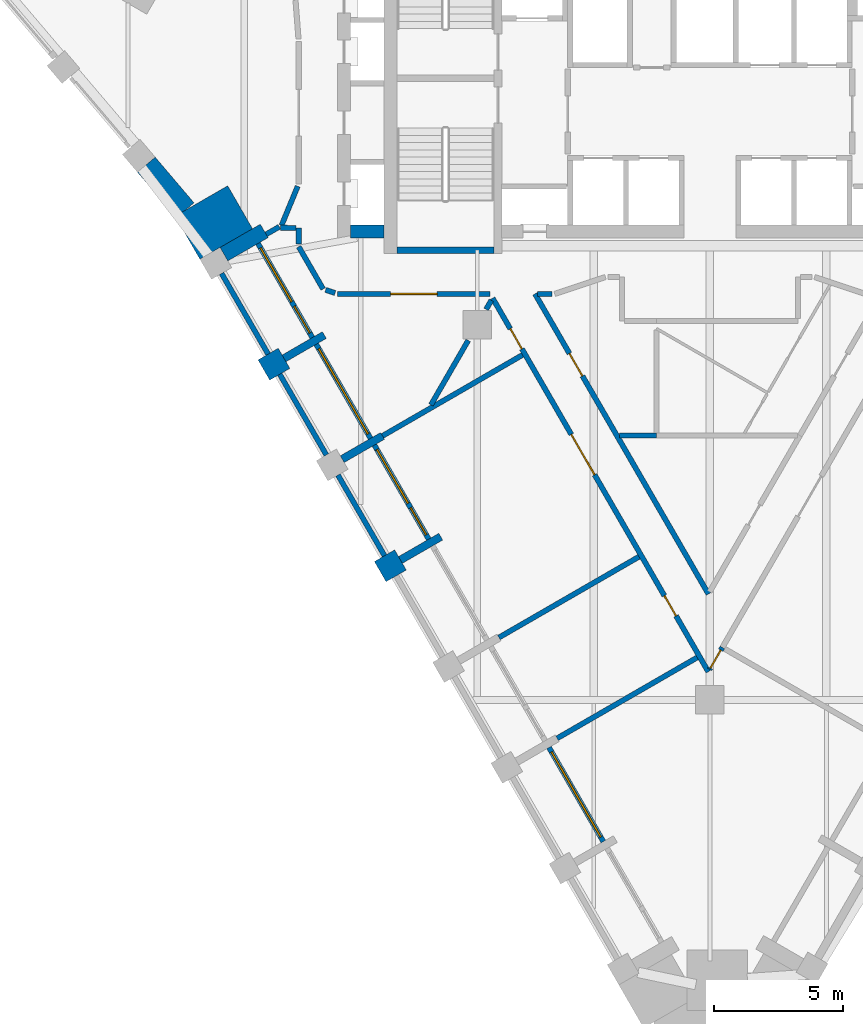
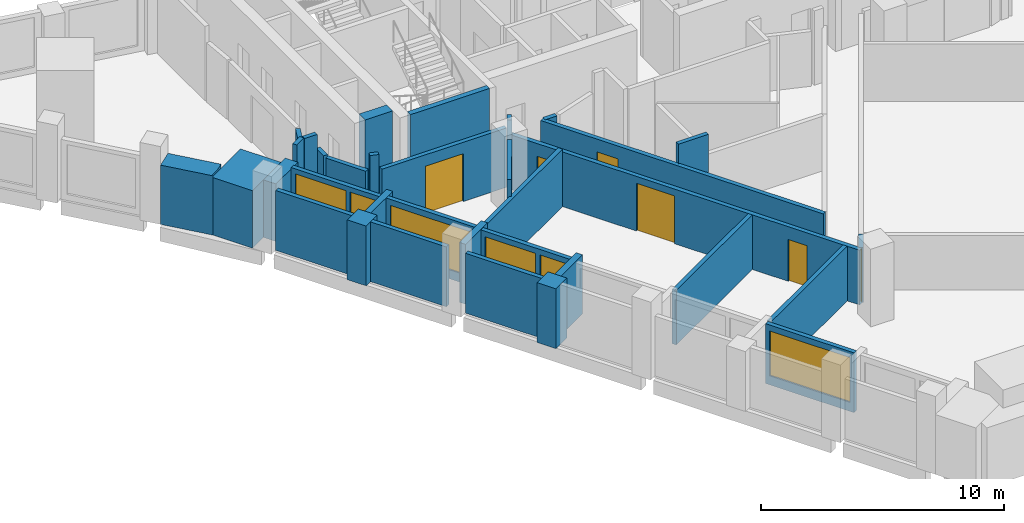
# One storey, part 3 of 9: 34 walls, 8 doors, 4 windows, 12 openings.
"""IFC4 building model written with IfcOpenShell, lengths in metres."""

from ifc_helpers import new_model, si_unit, direction, frame, frame_2d, origin, place, context, subcontext, project, spatial, polyline, rectangle, outline, extrude, material, layer, layer_set, type_object, element, fill, save


model = new_model("IFC4")

# Units and contexts
model_context = context("Model", 3, precision=1e-05, world=origin(), true_north=direction((0.0, 1.0)))
body_context = subcontext(model_context, "Body", "Model", "MODEL_VIEW")
ifc_project = project(units=[si_unit("LENGTHUNIT", "METRE"), si_unit("AREAUNIT", "SQUARE_METRE"), si_unit("VOLUMEUNIT", "CUBIC_METRE"), si_unit("PLANEANGLEUNIT", "RADIAN"), si_unit("MASSUNIT", "GRAM", prefix="KILO")], contexts=[model_context])

# Site, building, storey
site_placement = place(None, origin())
site = spatial("IfcSite", under=ifc_project, at=site_placement, CompositionType="ELEMENT")
building_placement = place(site_placement, origin())
building = spatial("IfcBuilding", under=site, at=building_placement, Name="Calabash Gate Tower", CompositionType="ELEMENT")
storey_placement = place(building_placement, frame((0.0, 0.0, 239.300048828125)))
storey = spatial("IfcBuildingStorey", under=building, at=storey_placement, Name="L57", CompositionType="ELEMENT", Elevation=239.300048828125)

# Walls
ifc_material_1 = material(Name="Terracotta brick masonry, exposed face", Category="masonry")
ifc_layer_1 = layer(ifc_material_1, 2.35009765625)
ifc_layer_set_1 = layer_set([ifc_layer_1], Name="Brick corner mass wall 2350")
wall_type_1 = type_object("IfcWallType", Name="Brick corner mass wall 2350", PredefinedType="SOLIDWALL", material=ifc_layer_set_1)
wall_1_placement = place(storey_placement, origin())
element("IfcWall", 1, at=wall_1_placement, inside=storey, type_object=wall_type_1, Name="Brick corner pier S16 1", PredefinedType="SOLIDWALL", context=body_context, shape_type="SweptSolid", body=[
    extrude(outline(polyline([(-18.942138671875, 5.492431640625), (-17.6865234375, 6.21728515625), (-18.6455078125, 7.878173828125), (-20.6806640625, 6.703125), (-19.7216796875, 5.042236328125), (-19.721435546875, 5.042236328125), (-19.7216796875, 5.042724609375), (-18.9423828125, 5.49267578125), (-18.942138671875, 5.492431640625)])), origin(), (0.0, 0.0, 1.0), 2.884033203125),
])
ifc_material_2 = material(Name="Terracotta brick masonry, exposed face", Category="masonry")
ifc_layer_2 = layer(ifc_material_2, 0.89990234375)
ifc_layer_set_2 = layer_set([ifc_layer_2], Name="Brick end wall 900")
wall_type_2 = type_object("IfcWallType", Name="Brick end wall 900", PredefinedType="SOLIDWALL", material=ifc_layer_set_2)
wall_2_placement = place(storey_placement, frame((-16.632080078125, 0.5908203125, 0.0), z_axis=(0.0, 0.0, 1.0), x_axis=(-0.50001992892, 0.866013897511, 0.0)))
element("IfcWall", 2, at=wall_2_placement, inside=storey, type_object=wall_type_2, Name="Brick pier S16 SW0.1", PredefinedType="SOLIDWALL", context=body_context, shape_type="SweptSolid", body=[
    extrude(rectangle(XDim=0.89990234375, YDim=0.89990234375, at=frame_2d((0.449951171875, 0.0))), origin(), (0.0, 0.0, 1.0), 3.0),
])
wall_3_placement = place(storey_placement, frame((-12.58203125, -6.424072265625, 0.0), z_axis=(0.0, 0.0, 1.0), x_axis=(0.499902469156, -0.866081705922, 0.0)))
element("IfcWall", 3, at=wall_3_placement, inside=storey, type_object=wall_type_2, Name="Brick pier S16 SW0.3", PredefinedType="SOLIDWALL", context=body_context, shape_type="SweptSolid", body=[
    extrude(rectangle(XDim=0.900146484375, YDim=0.89990234375, at=frame_2d((0.4501953125, 0.0))), origin(), (0.0, 0.0, 1.0), 3.0),
])
wall_4_placement = place(storey_placement, origin())
element("IfcWall", 4, at=wall_4_placement, inside=storey, type_object=wall_type_2, Name="Brick end wall S16 3", PredefinedType="SOLIDWALL", context=body_context, shape_type="SweptSolid", body=[
    extrude(outline(polyline([(-19.947998046875, 7.2197265625), (-21.44921875, 8.985595703125), (-22.135009765625, 8.402587890625), (-20.66015625, 6.667724609375), (-20.6806640625, 6.703125), (-20.291015625, 6.92822265625), (-19.947998046875, 7.2197265625)])), origin(), (0.0, 0.0, 1.0), 2.973388671875),
])
ifc_material_3 = material(Name="Terracotta brick masonry, exposed face", Category="masonry")
ifc_layer_3 = layer(ifc_material_3, 0.300048828125)
ifc_layer_set_3 = layer_set([ifc_layer_3], Name="Brick loggia cheek wall 300")
wall_type_3 = type_object("IfcWallType", Name="Brick loggia cheek wall 300", PredefinedType="SOLIDWALL", material=ifc_layer_set_3)
wall_5_placement = place(storey_placement, frame((-18.7919921875, 5.232666015625, 0.0), z_axis=(0.0, 0.0, 1.0), x_axis=(0.866013897511, 0.50001992892, 0.0)))
element("IfcWall", 5, at=wall_5_placement, inside=storey, type_object=wall_type_3, Name="Loggia cheek S16 SW0.0", PredefinedType="SOLIDWALL", context=body_context, shape_type="SweptSolid", body=[
    extrude(rectangle(XDim=1.7998046875, YDim=0.60009765625, at=frame_2d((0.89990234375, 0.0))), origin(), (0.0, 0.0, 1.0), 2.884033203125),
])
for number, where, z_axis, x_axis, name in (
    (6, (-16.46728515625, 1.205322265625, 0.0), (0.0, 0.0, 1.0), (0.865989075817, 0.500062916607, 0.0), "Loggia cheek S16 SW0.1"),
    (7, (-14.21728515625, -2.691650390625, 0.0), (0.0, 0.0, 1.0), (0.866047807691, 0.499961193289, 0.0), "Loggia cheek S16 SW0.2"),
):
    element("IfcWall", number, at=place(storey_placement, frame(where, z_axis=z_axis, x_axis=x_axis)), inside=storey, type_object=wall_type_3, Name=name, PredefinedType="SOLIDWALL", context=body_context, shape_type="SweptSolid", body=[
        extrude(rectangle(XDim=1.800048828125, YDim=0.300048828125, at=frame_2d((0.89990234375, 0.0))), origin(), (0.0, 0.0, 1.0), 3.0),
    ])
wall_6_placement = place(storey_placement, frame((-11.96728515625, -6.5888671875, 0.0), z_axis=(0.0, 0.0, 1.0), x_axis=(0.865989075817, 0.500062916607, 0.0)))
element("IfcWall", 8, at=wall_6_placement, inside=storey, type_object=wall_type_3, Name="Loggia cheek S16 SW0.3", PredefinedType="SOLIDWALL", context=body_context, shape_type="SweptSolid", body=[
    extrude(rectangle(XDim=1.800048828125, YDim=0.300048828125, at=frame_2d((0.89990234375, 0.0))), origin(), (0.0, 0.0, 1.0), 2.973388671875),
])
ifc_material_4 = material(Name="Concrete C70/85", Category="concrete")
ifc_layer_4 = layer(ifc_material_4, 0.25)
ifc_layer_set_4 = layer_set([ifc_layer_4], Name="Core wall 250 Concrete C70/85")
wall_type_4 = type_object("IfcWallType", Name="Core wall 250 Concrete C70/85", PredefinedType="SHEAR", material=ifc_layer_set_4)
wall_7_placement = place(storey_placement, frame((-12.10009765625, 5.377685546875, 0.0), z_axis=(0.0, 0.0, 1.0), x_axis=(1.0, 0.0, 0.0)))
element("IfcWall", 9, at=wall_7_placement, inside=storey, type_object=wall_type_4, Name="Core wall Z4-SSW L57", PredefinedType="SHEAR", context=body_context, shape_type="SweptSolid", body=[
    extrude(rectangle(XDim=3.75, YDim=0.25, at=frame_2d((1.875, 0.0))), origin(), (0.0, 0.0, 1.0), 3.89990234375),
])
ifc_material_5 = material(Name="Concrete C70/85", Category="concrete")
ifc_layer_5 = layer(ifc_material_5, 0.5)
ifc_layer_set_5 = layer_set([ifc_layer_5], Name="Core wall 500 Concrete C70/85")
wall_type_5 = type_object("IfcWallType", Name="Core wall 500 Concrete C70/85", PredefinedType="SHEAR", material=ifc_layer_set_5)
wall_8_placement = place(storey_placement, frame((-12.60009765625, 6.1025390625, 0.0), z_axis=(0.0, 0.0, 1.0), x_axis=(-1.0, 0.0, 0.0)))
element("IfcWall", 10, at=wall_8_placement, inside=storey, type_object=wall_type_5, Name="Core wall Z4-SW L57", PredefinedType="SHEAR", context=body_context, shape_type="SweptSolid", body=[
    extrude(rectangle(XDim=1.2998046875, YDim=0.5, at=frame_2d((0.64990234375, 0.0))), origin(), (0.0, 0.0, 1.0), 3.89990234375),
])
ifc_material_6 = material(Name="Gypsum board on steel studs, mineral wool", Category="steel")
ifc_layer_6 = layer(ifc_material_6, 0.199951171875)
ifc_layer_set_6 = layer_set([ifc_layer_6], Name="Partition 200 gypsum board EI 60")
wall_type_6 = type_object("IfcWallType", Name="Partition 200 gypsum board EI 60", PredefinedType="PARTITIONING", material=ifc_layer_set_6)
wall_9_placement = place(storey_placement, frame((-5.908203125, -13.4833984375, 0.0), z_axis=(0.0, 0.0, 1.0), x_axis=(0.866160870949, 0.499765290549, 0.0)))
element("IfcWall", 11, at=wall_9_placement, inside=storey, type_object=wall_type_6, Name="Partition", PredefinedType="PARTITIONING", context=body_context, shape_type="SweptSolid", body=[
    extrude(rectangle(XDim=6.24951171875, YDim=0.199951171875, at=frame_2d((3.124755859375, 0.0))), origin(), (0.0, 0.0, 1.0), 2.74169921875),
])

# Wall, openings, doors
wall_10_placement = place(storey_placement, frame((-8.403076171875, 3.533935546875, 0.0), z_axis=(0.0, 0.0, 1.0), x_axis=(0.499994899308, -0.86602834865, 0.0)))
wall_10 = element("IfcWall", 12, at=wall_10_placement, inside=storey, type_object=wall_type_6, Name="Partition", PredefinedType="PARTITIONING", context=body_context, shape_type="SweptSolid", body=[
    extrude(rectangle(XDim=16.677490234375, YDim=0.199951171875, at=frame_2d((8.3388671875, 0.0))), origin(), (0.0, 0.0, 1.0), 2.74169921875),
])
opening_1_placement = place(wall_10_placement, frame((6.08447265625, 0.0, 0.0)))
opening_1 = element("IfcOpeningElement", 13, at=opening_1_placement, cuts=wall_10, Name="Opening 55-57-001", PredefinedType="OPENING", context=body_context, shape_type="SweptSolid", body=[
    extrude(rectangle(XDim=1.800048828125, YDim=2.39990234375, at=frame_2d((0.89990234375, 1.199951171875))), frame((0.0, 0.10986328125, 0.0), z_axis=(0.0, -1.0, 0.0), x_axis=(1.0, 0.0, 0.0)), (0.0, 0.0, 1.0), 0.219970703125),
])
opening_2_placement = place(wall_10_placement, frame((13.28466796875, 0.0, 0.0)))
opening_2 = element("IfcOpeningElement", 14, at=opening_2_placement, cuts=wall_10, Name="Opening 55-57-002", PredefinedType="OPENING", context=body_context, shape_type="SweptSolid", body=[
    extrude(rectangle(XDim=0.89990234375, YDim=2.10009765625, at=frame_2d((0.449951171875, 1.050048828125))), frame((0.0, 0.10986328125, 0.0), z_axis=(0.0, -1.0, 0.0), x_axis=(1.0, 0.0, 0.0)), (0.0, 0.0, 1.0), 0.219970703125),
])
opening_3_placement = place(wall_10_placement, frame((1.364013671875, 0.0, 0.0)))
opening_3 = element("IfcOpeningElement", 15, at=opening_3_placement, cuts=wall_10, Name="Opening 55-57-007", PredefinedType="OPENING", context=body_context, shape_type="SweptSolid", body=[
    extrude(rectangle(XDim=0.89990234375, YDim=2.10009765625, at=frame_2d((0.449951171875, 1.050048828125))), frame((0.0, 0.10986328125, 0.0), z_axis=(0.0, -1.0, 0.0), x_axis=(1.0, 0.0, 0.0)), (0.0, 0.0, 1.0), 0.219970703125),
])
ifc_material_7 = material(Name="Painted timber door", Category="wood")
door_type_1 = type_object("IfcDoorType", Name="OD1 Office door 900x2100", OperationType="NOTDEFINED", PredefinedType="DOOR", material=ifc_material_7)
door_1_placement = place(opening_2_placement, origin())
door_1 = element("IfcDoor", 16, at=door_1_placement, inside=storey, type_object=door_type_1, Name="Office door", OperationType="SINGLE_SWING_LEFT", OverallHeight=2.10009765625, OverallWidth=0.89990234375, PredefinedType="DOOR", context=body_context, shape_type="SweptSolid", body=[
    extrude(rectangle(XDim=0.89990234375, YDim=2.10009765625, at=frame_2d((0.449951171875, 1.050048828125))), frame((0.0, 0.02490234375, 0.0), z_axis=(0.0, -1.0, 0.0), x_axis=(1.0, 0.0, 0.0)), (0.0, 0.0, 1.0), 0.050048828125),
])
fill(opening_2, door_1)
ifc_material_8 = material(Name="Steel fire door set with fire-resisting glazing", Category="steel")
door_type_2 = type_object("IfcDoorType", Name="SD1 Service room door 900x2100", OperationType="NOTDEFINED", PredefinedType="DOOR", material=ifc_material_8)
door_2_placement = place(opening_3_placement, origin())
door_2 = element("IfcDoor", 17, at=door_2_placement, inside=storey, type_object=door_type_2, Name="Service room door", OperationType="SINGLE_SWING_RIGHT", OverallHeight=2.10009765625, OverallWidth=0.89990234375, PredefinedType="DOOR", context=body_context, shape_type="SweptSolid", body=[
    extrude(rectangle(XDim=0.89990234375, YDim=2.10009765625, at=frame_2d((0.449951171875, 1.050048828125))), frame((0.0, 0.02490234375, 0.0), z_axis=(0.0, -1.0, 0.0), x_axis=(1.0, 0.0, 0.0)), (0.0, 0.0, 1.0), 0.050048828125),
])
fill(opening_3, door_2)
ifc_material_9 = material(Name="Steel fire door set with fire-resisting glazing", Category="steel")
door_type_3 = type_object("IfcDoorType", Name="TD1 Tenancy entrance double door 1800x2400", OperationType="NOTDEFINED", PredefinedType="DOOR", material=ifc_material_9)
door_3_placement = place(opening_1_placement, origin())
door_3 = element("IfcDoor", 18, at=door_3_placement, inside=storey, type_object=door_type_3, Name="Tenancy entrance double door", OperationType="DOUBLE_DOOR_SINGLE_SWING", OverallHeight=2.39990234375, OverallWidth=1.800048828125, PredefinedType="DOOR", context=body_context, shape_type="SweptSolid", body=[
    extrude(rectangle(XDim=1.800048828125, YDim=2.39990234375, at=frame_2d((0.89990234375, 1.199951171875))), frame((0.0, 0.02490234375, 0.0), z_axis=(0.0, -1.0, 0.0), x_axis=(1.0, 0.0, 0.0)), (0.0, 0.0, 1.0), 0.050048828125),
])
fill(opening_1, door_3)

# Wall, opening, door
wall_11_placement = place(storey_placement, frame((-0.01220703125, -10.821533203125, 0.0), z_axis=(0.0, 0.0, 1.0), x_axis=(0.501271486133, 0.865290065348, 0.0)))
wall_11 = element("IfcWall", 19, at=wall_11_placement, inside=storey, type_object=wall_type_6, Name="Partition", PredefinedType="PARTITIONING", context=body_context, shape_type="SweptSolid", body=[
    extrude(rectangle(XDim=0.98193359375, YDim=0.199951171875, at=frame_2d((0.490966796875, 0.0))), origin(), (0.0, 0.0, 1.0), 2.74169921875),
])
opening_4_placement = place(wall_11_placement, frame((0.06201171875, 0.0, 0.0)))
opening_4 = element("IfcOpeningElement", 20, at=opening_4_placement, cuts=wall_11, Name="Opening 55-57-011", PredefinedType="OPENING", context=body_context, shape_type="SweptSolid", body=[
    extrude(rectangle(XDim=0.800048828125, YDim=2.10009765625, at=frame_2d((0.39990234375, 1.050048828125))), frame((0.0, 0.10986328125, 0.0), z_axis=(0.0, -1.0, 0.0), x_axis=(1.0, 0.0, 0.0)), (0.0, 0.0, 1.0), 0.219970703125),
])
ifc_material_10 = material(Name="Steel fire door set with fire-resisting glazing", Category="steel")
door_type_4 = type_object("IfcDoorType", Name="SD2 Riser access door 800x2100", OperationType="NOTDEFINED", PredefinedType="DOOR", material=ifc_material_10)
door_4_placement = place(opening_4_placement, origin())
door_4 = element("IfcDoor", 21, at=door_4_placement, inside=storey, type_object=door_type_4, Name="Riser access door", OperationType="SINGLE_SWING_RIGHT", OverallHeight=2.10009765625, OverallWidth=0.800048828125, PredefinedType="DOOR", context=body_context, shape_type="SweptSolid", body=[
    extrude(rectangle(XDim=0.800048828125, YDim=2.10009765625, at=frame_2d((0.39990234375, 1.050048828125))), frame((0.0, 0.02490234375, 0.0), z_axis=(0.0, -1.0, 0.0), x_axis=(1.0, 0.0, 0.0)), (0.0, 0.0, 1.0), 0.050048828125),
])
fill(opening_4, door_4)

# Walls
wall_12_placement = place(storey_placement, frame((-8.158203125, -9.586181640625, 0.0), z_axis=(0.0, 0.0, 1.0), x_axis=(0.866153717883, 0.499777687575, 0.0)))
element("IfcWall", 22, at=wall_12_placement, inside=storey, type_object=wall_type_6, Name="Partition", PredefinedType="PARTITIONING", context=body_context, shape_type="SweptSolid", body=[
    extrude(rectangle(XDim=6.249755859375, YDim=0.199951171875, at=frame_2d((3.125, 0.0))), origin(), (0.0, 0.0, 1.0), 2.74169921875),
])
wall_13_placement = place(storey_placement, frame((-12.65869140625, -1.791259765625, 0.0), z_axis=(0.0, 0.0, 1.0), x_axis=(0.865661558062, 0.500629670408, 0.0)))
element("IfcWall", 23, at=wall_13_placement, inside=storey, type_object=wall_type_6, Name="Partition", PredefinedType="PARTITIONING", context=body_context, shape_type="SweptSolid", body=[
    extrude(rectangle(XDim=6.24951171875, YDim=0.199951171875, at=frame_2d((3.124755859375, 0.0))), origin(), (0.0, 0.0, 1.0), 2.884033203125),
])
wall_14_placement = place(storey_placement, frame((-3.49853515625, -1.779541015625, 0.0), z_axis=(0.0, 0.0, 1.0), x_axis=(0.999999471866, 0.001027748686, 0.0)))
element("IfcWall", 24, at=wall_14_placement, inside=storey, type_object=wall_type_6, Name="Partition", PredefinedType="PARTITIONING", context=body_context, shape_type="SweptSolid", body=[
    extrude(rectangle(XDim=1.42529296875, YDim=0.199951171875, at=frame_2d((0.712646484375, 0.0))), origin(), (0.0, 0.0, 1.0), 3.72998046875),
])
wall_15_placement = place(storey_placement, frame((-10.787353515625, -0.593505859375, 0.0), z_axis=(0.0, 0.0, 1.0), x_axis=(0.500287485194, 0.865859360496, 0.0)))
element("IfcWall", 25, at=wall_15_placement, inside=storey, type_object=wall_type_6, Name="Partition", PredefinedType="PARTITIONING", context=body_context, shape_type="SweptSolid", body=[
    extrude(rectangle(XDim=2.879638671875, YDim=0.199951171875, at=frame_2d((1.43994140625, 0.0))), origin(), (0.0, 0.0, 1.0), 3.72998046875),
])
wall_16_placement = place(storey_placement, frame((-8.65380859375, 3.10009765625, 0.0), z_axis=(0.0, 0.0, 1.0), x_axis=(0.497766425922, 0.86731112366, 0.0)))
element("IfcWall", 26, at=wall_16_placement, inside=storey, type_object=wall_type_6, Name="Partition", PredefinedType="PARTITIONING", context=body_context, shape_type="SweptSolid", body=[
    extrude(rectangle(XDim=0.403564453125, YDim=0.199951171875, at=frame_2d((0.20166015625, 0.0))), origin(), (0.0, 0.0, 1.0), 3.72998046875),
])

# Wall, opening, door
wall_17_placement = place(storey_placement, frame((-14.400146484375, 3.699462890625, 0.0), z_axis=(0.0, 0.0, 1.0), x_axis=(1.0, 0.0, 0.0)))
wall_17 = element("IfcWall", 27, at=wall_17_placement, inside=storey, type_object=wall_type_6, Name="Partition", PredefinedType="PARTITIONING", context=body_context, shape_type="SweptSolid", body=[
    extrude(rectangle(XDim=5.903076171875, YDim=0.199951171875, at=frame_2d((2.95166015625, 0.0))), origin(), (0.0, 0.0, 1.0), 2.973388671875),
])
opening_5_placement = place(wall_17_placement, frame((2.0517578125, 0.0, 0.0)))
opening_5 = element("IfcOpeningElement", 28, at=opening_5_placement, cuts=wall_17, Name="Opening 55-57-008", PredefinedType="OPENING", context=body_context, shape_type="SweptSolid", body=[
    extrude(rectangle(XDim=1.800048828125, YDim=2.39990234375, at=frame_2d((0.89990234375, 1.199951171875))), frame((0.0, 0.10986328125, 0.0), z_axis=(0.0, -1.0, 0.0), x_axis=(1.0, 0.0, 0.0)), (0.0, 0.0, 1.0), 0.219970703125),
])
ifc_material_11 = material(Name="Steel fire door set with fire-resisting glazing", Category="steel")
door_type_5 = type_object("IfcDoorType", Name="OD5 Open office double door 1800x2400", OperationType="NOTDEFINED", PredefinedType="DOOR", material=ifc_material_11)
door_5_placement = place(opening_5_placement, origin())
door_5 = element("IfcDoor", 29, at=door_5_placement, inside=storey, type_object=door_type_5, Name="Open office double door", OperationType="DOUBLE_DOOR_SINGLE_SWING", OverallHeight=2.39990234375, OverallWidth=1.800048828125, PredefinedType="DOOR", context=body_context, shape_type="SweptSolid", body=[
    extrude(rectangle(XDim=1.800048828125, YDim=2.39990234375, at=frame_2d((0.89990234375, 1.199951171875))), frame((0.0, 0.02490234375, 0.0), z_axis=(0.0, -1.0, 0.0), x_axis=(1.0, 0.0, 0.0)), (0.0, 0.0, 1.0), 0.050048828125),
])
fill(opening_5, door_5)

wall_18_placement = place(storey_placement, frame((-6.764404296875, 3.69970703125, 0.0), z_axis=(0.0, 0.0, 1.0), x_axis=(0.500260603275, -0.865874892124, 0.0)))
wall_18 = element("IfcWall", 30, at=wall_18_placement, inside=storey, type_object=wall_type_6, Name="Partition", PredefinedType="PARTITIONING", context=body_context, shape_type="SweptSolid", body=[
    extrude(rectangle(XDim=13.403076171875, YDim=0.199951171875, at=frame_2d((6.70166015625, 0.0))), origin(), (0.0, 0.0, 1.0), 2.74169921875),
])
opening_6_placement = place(wall_18_placement, frame((2.66259765625, 0.0, 0.0)))
opening_6 = element("IfcOpeningElement", 31, at=opening_6_placement, cuts=wall_18, Name="Opening 55-57-004", PredefinedType="OPENING", context=body_context, shape_type="SweptSolid", body=[
    extrude(rectangle(XDim=1.0, YDim=2.10009765625, at=frame_2d((0.5, 1.050048828125))), frame((0.0, 0.10986328125, 0.0), z_axis=(0.0, -1.0, 0.0), x_axis=(1.0, 0.0, 0.0)), (0.0, 0.0, 1.0), 0.219970703125),
])
ifc_material_12 = material(Name="Steel fire door set with fire-resisting glazing", Category="steel")
door_type_6 = type_object("IfcDoorType", Name="VD1 Vault door 1000x2100", OperationType="NOTDEFINED", PredefinedType="DOOR", material=ifc_material_12)
door_6_placement = place(opening_6_placement, origin())
door_6 = element("IfcDoor", 32, at=door_6_placement, inside=storey, type_object=door_type_6, Name="Vault door", OperationType="SINGLE_SWING_LEFT", OverallHeight=2.10009765625, OverallWidth=1.0, PredefinedType="DOOR", context=body_context, shape_type="SweptSolid", body=[
    extrude(rectangle(XDim=1.0, YDim=2.10009765625, at=frame_2d((0.5, 1.050048828125))), frame((0.0, 0.02490234375, 0.0), z_axis=(0.0, -1.0, 0.0), x_axis=(1.0, 0.0, 0.0)), (0.0, 0.0, 1.0), 0.050048828125),
])
fill(opening_6, door_6)

# Walls
wall_19_placement = place(storey_placement, frame((-6.664306640625, 3.69970703125, 0.0), z_axis=(0.0, 0.0, 1.0), x_axis=(1.0, 0.0, 0.0)))
element("IfcWall", 33, at=wall_19_placement, inside=storey, type_object=wall_type_6, Name="Partition", PredefinedType="PARTITIONING", context=body_context, shape_type="SweptSolid", body=[
    extrude(rectangle(XDim=0.564208984375, YDim=0.199951171875, at=frame_2d((0.2822265625, 0.0))), origin(), (0.0, 0.0, 1.0), 2.74169921875),
])
wall_20_placement = place(storey_placement, frame((-14.85986328125, 3.852783203125, 0.0), z_axis=(0.0, 0.0, 1.0), x_axis=(0.948683298051, -0.316227766017, 0.0)))
element("IfcWall", 34, at=wall_20_placement, inside=storey, type_object=wall_type_6, Name="Partition", PredefinedType="PARTITIONING", context=body_context, shape_type="SweptSolid", body=[
    extrude(rectangle(XDim=0.384521484375, YDim=0.199951171875, at=frame_2d((0.1923828125, 0.0))), origin(), (0.0, 0.0, 1.0), 3.72998046875),
])
wall_21_placement = place(storey_placement, frame((-15.900390625, 5.522705078125, 0.0), z_axis=(0.0, 0.0, 1.0), x_axis=(0.499998034377, -0.866026538634, 0.0)))
element("IfcWall", 35, at=wall_21_placement, inside=storey, type_object=wall_type_6, Name="Partition", PredefinedType="PARTITIONING", context=body_context, shape_type="SweptSolid", body=[
    extrude(rectangle(XDim=1.8916015625, YDim=0.199951171875, at=frame_2d((0.94580078125, 0.0))), origin(), (0.0, 0.0, 1.0), 2.949951171875),
])
wall_22_placement = place(storey_placement, frame((-15.900390625, 6.252197265625, 0.0), z_axis=(0.0, 0.0, 1.0), x_axis=(0.0, -1.0, 0.0)))
element("IfcWall", 36, at=wall_22_placement, inside=storey, type_object=wall_type_6, Name="Partition", PredefinedType="PARTITIONING", context=body_context, shape_type="SweptSolid", body=[
    extrude(rectangle(XDim=0.62939453125, YDim=0.199951171875, at=frame_2d((0.314697265625, 0.0))), origin(), (0.0, 0.0, 1.0), 2.973388671875),
])
wall_23_placement = place(storey_placement, frame((-16.6005859375, 6.252685546875, 0.0), z_axis=(0.0, 0.0, 1.0), x_axis=(0.999999668971, -0.000813669381, 0.0)))
element("IfcWall", 37, at=wall_23_placement, inside=storey, type_object=wall_type_6, Name="Partition", PredefinedType="PARTITIONING", context=body_context, shape_type="SweptSolid", body=[
    extrude(rectangle(XDim=0.60009765625, YDim=0.199951171875, at=frame_2d((0.300048828125, 0.0))), origin(), (0.0, 0.0, 1.0), 3.72998046875),
])
wall_24_placement = place(storey_placement, frame((-17.158203125, 6.00244140625, 0.0), z_axis=(0.0, 0.0, 1.0), x_axis=(0.867396234464, 0.497618098985, 0.0)))
element("IfcWall", 38, at=wall_24_placement, inside=storey, type_object=wall_type_6, Name="Partition", PredefinedType="PARTITIONING", context=body_context, shape_type="SweptSolid", body=[
    extrude(rectangle(XDim=0.586181640625, YDim=0.199951171875, at=frame_2d((0.29296875, 0.0))), origin(), (0.0, 0.0, 1.0), 3.72998046875),
])
wall_25_placement = place(storey_placement, frame((-16.563720703125, 6.345947265625, 0.0), z_axis=(0.0, 0.0, 1.0), x_axis=(0.381544254575, 0.924350572998, 0.0)))
element("IfcWall", 39, at=wall_25_placement, inside=storey, type_object=wall_type_6, Name="Partition", PredefinedType="PARTITIONING", context=body_context, shape_type="SweptSolid", body=[
    extrude(rectangle(XDim=1.63818359375, YDim=0.199951171875, at=frame_2d((0.819091796875, 0.0))), origin(), (0.0, 0.0, 1.0), 2.973388671875),
])
ifc_material_13 = material(Name="Terracotta brick masonry, perforated", Category="masonry")
ifc_layer_7 = layer(ifc_material_13, 0.199951171875)
ifc_layer_set_7 = layer_set([ifc_layer_7], Name="Terracotta jaali screen B")
wall_type_7 = type_object("IfcWallType", Name="Terracotta jaali screen B", PredefinedType="SOLIDWALL", material=ifc_layer_set_7)
for number, where, z_axis, x_axis, name in (
    (40, (-18.882080078125, 4.48779296875, 0.0), (0.0, 0.0, 1.0), (0.500012057535, -0.866018442252, 0.0), "SCREEN B S16 SW0.1"),
    (41, (-16.632080078125, 0.5908203125, 0.0), (0.0, 0.0, 1.0), (0.500012057535, -0.866018442252, 0.0), "SCREEN B S16 SW0.2"),
    (42, (-14.382080078125, -3.306396484375, 0.0), (0.0, 0.0, 1.0), (0.500012057535, -0.866018442252, 0.0), "SCREEN B S16 SW0.3"),
):
    element("IfcWall", number, at=place(storey_placement, frame(where, z_axis=z_axis, x_axis=x_axis)), inside=storey, type_object=wall_type_7, Name=name, PredefinedType="SOLIDWALL", context=body_context, shape_type="SweptSolid", body=[
        extrude(rectangle(XDim=3.60009765625, YDim=0.199951171875, at=frame_2d((1.800048828125, 0.0))), origin(), (0.0, 0.0, 1.0), 3.0),
    ])

# Wall, openings, door, window
ifc_material_14 = material(Name="Aluminium framed window wall with insulated spandrel", Category="aluminium")
ifc_layer_8 = layer(ifc_material_14, 0.199951171875)
ifc_layer_set_8 = layer_set([ifc_layer_8], Name="Window wall 200")
wall_type_8 = type_object("IfcWallType", Name="Window wall 200", PredefinedType="ELEMENTEDWALL", material=ifc_layer_set_8)
wall_26_placement = place(storey_placement, frame((-17.47314453125, 5.647705078125, 0.0), z_axis=(0.0, 0.0, 1.0), x_axis=(0.500002543286, -0.866023935413, 0.0)))
wall_26 = element("IfcWall", 43, at=wall_26_placement, inside=storey, type_object=wall_type_8, Name="Window wall S16 SW0.1", PredefinedType="ELEMENTEDWALL", context=body_context, shape_type="SweptSolid", body=[
    extrude(rectangle(XDim=4.2001953125, YDim=0.199951171875, at=frame_2d((2.10009765625, 0.0))), origin(), (0.0, 0.0, 1.0), 2.949951171875),
])
opening_7_placement = place(wall_26_placement, frame((0.199951171875, 0.0, 0.449951171875)))
opening_7 = element("IfcOpeningElement", 44, at=opening_7_placement, cuts=wall_26, Name="Opening OW1", PredefinedType="OPENING", context=body_context, shape_type="SweptSolid", body=[
    extrude(rectangle(XDim=2.39990234375, YDim=2.25, at=frame_2d((1.199951171875, 1.125))), frame((0.0, 0.10986328125, 0.0), z_axis=(0.0, -1.0, 0.0), x_axis=(1.0, 0.0, 0.0)), (0.0, 0.0, 1.0), 0.219970703125),
])
opening_8_placement = place(wall_26_placement, frame((2.800048828125, 0.0, 0.0)))
opening_8 = element("IfcOpeningElement", 45, at=opening_8_placement, cuts=wall_26, Name="Opening O8-026", PredefinedType="OPENING", context=body_context, shape_type="SweptSolid", body=[
    extrude(rectangle(XDim=1.199951171875, YDim=2.699951171875, at=frame_2d((0.60009765625, 1.35009765625))), frame((0.0, 0.10986328125, 0.0), z_axis=(0.0, -1.0, 0.0), x_axis=(1.0, 0.0, 0.0)), (0.0, 0.0, 1.0), 0.219970703125),
])
ifc_material_15 = material(Name="Anodised aluminium frame, bronze finish, impact-rated laminated clear glazing", Category="aluminium")
door_type_7 = type_object("IfcDoorType", Name="Loggia door DO1 1200x2700", OperationType="SLIDING_TO_LEFT", PredefinedType="DOOR", material=ifc_material_15)
door_7_placement = place(opening_8_placement, origin())
door_7 = element("IfcDoor", 46, at=door_7_placement, inside=storey, type_object=door_type_7, Name="Loggia door S16 SW0.1", OperationType="SINGLE_SWING_LEFT", OverallHeight=2.699951171875, OverallWidth=1.199951171875, PredefinedType="DOOR", context=body_context, shape_type="SweptSolid", body=[
    extrude(rectangle(XDim=1.199951171875, YDim=2.699951171875, at=frame_2d((0.60009765625, 1.35009765625))), frame((0.0, 0.02490234375, 0.0), z_axis=(0.0, -1.0, 0.0), x_axis=(1.0, 0.0, 0.0)), (0.0, 0.0, 1.0), 0.050048828125),
])
fill(opening_8, door_7)
ifc_material_16 = material(Name="Anodised aluminium frame, bronze finish, impact-rated laminated clear glazing", Category="aluminium")
window_type_1 = type_object("IfcWindowType", Name="Window OW1 2400x2250", PartitioningType="DOUBLE_PANEL_VERTICAL", PredefinedType="WINDOW", material=ifc_material_16)
window_1_placement = place(opening_7_placement, origin())
window_1 = element("IfcWindow", 47, at=window_1_placement, inside=storey, type_object=window_type_1, Name="Window OW1 S16 SW0.1", OverallHeight=2.25, OverallWidth=2.39990234375, PartitioningType="SINGLE_PANEL", PredefinedType="WINDOW", context=body_context, shape_type="SweptSolid", body=[
    extrude(rectangle(XDim=2.39990234375, YDim=2.25, at=frame_2d((1.199951171875, 1.125))), frame((0.0, 0.030029296875, 0.0), z_axis=(0.0, -1.0, 0.0), x_axis=(1.0, 0.0, 0.0)), (0.0, 0.0, 1.0), 0.06005859375),
])
fill(opening_7, window_1)

# Wall, opening, window
wall_27_placement = place(storey_placement, frame((-15.22314453125, 1.75048828125, 0.0), z_axis=(0.0, 0.0, 1.0), x_axis=(0.500027713859, -0.866009402589, 0.0)))
wall_27 = element("IfcWall", 48, at=wall_27_placement, inside=storey, type_object=wall_type_8, Name="Window wall S16 SW0.2", PredefinedType="ELEMENTEDWALL", context=body_context, shape_type="SweptSolid", body=[
    extrude(rectangle(XDim=4.199951171875, YDim=0.199951171875, at=frame_2d((2.10009765625, 0.0))), origin(), (0.0, 0.0, 1.0), 3.0),
])
opening_9_placement = place(wall_27_placement, frame((0.199951171875, 0.0, 0.449951171875)))
opening_9 = element("IfcOpeningElement", 49, at=opening_9_placement, cuts=wall_27, Name="Opening OW2", PredefinedType="OPENING", context=body_context, shape_type="SweptSolid", body=[
    extrude(rectangle(XDim=3.800048828125, YDim=2.25, at=frame_2d((1.89990234375, 1.125))), frame((0.0, 0.10986328125, 0.0), z_axis=(0.0, -1.0, 0.0), x_axis=(1.0, 0.0, 0.0)), (0.0, 0.0, 1.0), 0.219970703125),
])
ifc_material_17 = material(Name="Anodised aluminium frame, bronze finish, impact-rated laminated clear glazing", Category="aluminium")
window_type_2 = type_object("IfcWindowType", Name="Window OW2 3800x2250", PartitioningType="TRIPLE_PANEL_VERTICAL", PredefinedType="WINDOW", material=ifc_material_17)
window_2_placement = place(opening_9_placement, origin())
window_2 = element("IfcWindow", 50, at=window_2_placement, inside=storey, type_object=window_type_2, Name="Window OW2 S16 SW0.2", OverallHeight=2.25, OverallWidth=3.800048828125, PartitioningType="SINGLE_PANEL", PredefinedType="WINDOW", context=body_context, shape_type="SweptSolid", body=[
    extrude(rectangle(XDim=3.800048828125, YDim=2.25, at=frame_2d((1.89990234375, 1.125))), frame((0.0, 0.030029296875, 0.0), z_axis=(0.0, -1.0, 0.0), x_axis=(1.0, 0.0, 0.0)), (0.0, 0.0, 1.0), 0.06005859375),
])
fill(opening_9, window_2)

# Wall, openings, door, window
wall_28_placement = place(storey_placement, frame((-12.97314453125, -2.146484375, 0.0), z_axis=(0.0, 0.0, 1.0), x_axis=(0.500002543286, -0.866023935413, 0.0)))
wall_28 = element("IfcWall", 51, at=wall_28_placement, inside=storey, type_object=wall_type_8, Name="Window wall S16 SW0.3", PredefinedType="ELEMENTEDWALL", context=body_context, shape_type="SweptSolid", body=[
    extrude(rectangle(XDim=4.2001953125, YDim=0.199951171875, at=frame_2d((2.10009765625, 0.0))), origin(), (0.0, 0.0, 1.0), 2.973388671875),
])
opening_10_placement = place(wall_28_placement, frame((0.199951171875, 0.0, 0.449951171875)))
opening_10 = element("IfcOpeningElement", 52, at=opening_10_placement, cuts=wall_28, Name="Opening OW1", PredefinedType="OPENING", context=body_context, shape_type="SweptSolid", body=[
    extrude(rectangle(XDim=2.39990234375, YDim=2.25, at=frame_2d((1.199951171875, 1.125))), frame((0.0, 0.10986328125, 0.0), z_axis=(0.0, -1.0, 0.0), x_axis=(1.0, 0.0, 0.0)), (0.0, 0.0, 1.0), 0.219970703125),
])
opening_11_placement = place(wall_28_placement, frame((2.800048828125, 0.0, 0.0)))
opening_11 = element("IfcOpeningElement", 53, at=opening_11_placement, cuts=wall_28, Name="Opening O8-027", PredefinedType="OPENING", context=body_context, shape_type="SweptSolid", body=[
    extrude(rectangle(XDim=1.199951171875, YDim=2.699951171875, at=frame_2d((0.60009765625, 1.35009765625))), frame((0.0, 0.10986328125, 0.0), z_axis=(0.0, -1.0, 0.0), x_axis=(1.0, 0.0, 0.0)), (0.0, 0.0, 1.0), 0.219970703125),
])
door_8_placement = place(opening_11_placement, origin())
door_8 = element("IfcDoor", 54, at=door_8_placement, inside=storey, type_object=door_type_7, Name="Loggia door S16 SW0.3", OperationType="SINGLE_SWING_LEFT", OverallHeight=2.699951171875, OverallWidth=1.199951171875, PredefinedType="DOOR", context=body_context, shape_type="SweptSolid", body=[
    extrude(rectangle(XDim=1.199951171875, YDim=2.699951171875, at=frame_2d((0.60009765625, 1.35009765625))), frame((0.0, 0.02490234375, 0.0), z_axis=(0.0, -1.0, 0.0), x_axis=(1.0, 0.0, 0.0)), (0.0, 0.0, 1.0), 0.050048828125),
])
fill(opening_11, door_8)
window_3_placement = place(opening_10_placement, origin())
window_3 = element("IfcWindow", 55, at=window_3_placement, inside=storey, type_object=window_type_1, Name="Window OW1 S16 SW0.3", OverallHeight=2.25, OverallWidth=2.39990234375, PartitioningType="SINGLE_PANEL", PredefinedType="WINDOW", context=body_context, shape_type="SweptSolid", body=[
    extrude(rectangle(XDim=2.39990234375, YDim=2.25, at=frame_2d((1.199951171875, 1.125))), frame((0.0, 0.030029296875, 0.0), z_axis=(0.0, -1.0, 0.0), x_axis=(1.0, 0.0, 0.0)), (0.0, 0.0, 1.0), 0.06005859375),
])
fill(opening_10, window_3)

# Wall, opening, window
wall_29_placement = place(storey_placement, frame((-6.22314453125, -13.837890625, 0.0), z_axis=(0.0, 0.0, 1.0), x_axis=(0.500002543286, -0.866023935413, 0.0)))
wall_29 = element("IfcWall", 56, at=wall_29_placement, inside=storey, type_object=wall_type_8, Name="Window wall S16 SW0.6", PredefinedType="ELEMENTEDWALL", context=body_context, shape_type="SweptSolid", body=[
    extrude(rectangle(XDim=4.2001953125, YDim=0.199951171875, at=frame_2d((2.10009765625, 0.0))), origin(), (0.0, 0.0, 1.0), 3.0),
])
opening_12_placement = place(wall_29_placement, frame((0.199951171875, 0.0, 0.449951171875)))
opening_12 = element("IfcOpeningElement", 57, at=opening_12_placement, cuts=wall_29, Name="Opening OW2", PredefinedType="OPENING", context=body_context, shape_type="SweptSolid", body=[
    extrude(rectangle(XDim=3.800048828125, YDim=2.25, at=frame_2d((1.89990234375, 1.125))), frame((0.0, 0.10986328125, 0.0), z_axis=(0.0, -1.0, 0.0), x_axis=(1.0, 0.0, 0.0)), (0.0, 0.0, 1.0), 0.219970703125),
])
window_4_placement = place(opening_12_placement, origin())
window_4 = element("IfcWindow", 58, at=window_4_placement, inside=storey, type_object=window_type_2, Name="Window OW2 S16 SW0.6", OverallHeight=2.25, OverallWidth=3.800048828125, PartitioningType="SINGLE_PANEL", PredefinedType="WINDOW", context=body_context, shape_type="SweptSolid", body=[
    extrude(rectangle(XDim=3.800048828125, YDim=2.25, at=frame_2d((1.89990234375, 1.125))), frame((0.0, 0.030029296875, 0.0), z_axis=(0.0, -1.0, 0.0), x_axis=(1.0, 0.0, 0.0)), (0.0, 0.0, 1.0), 0.06005859375),
])
fill(opening_12, window_4)

save(model, "model.ifc")
